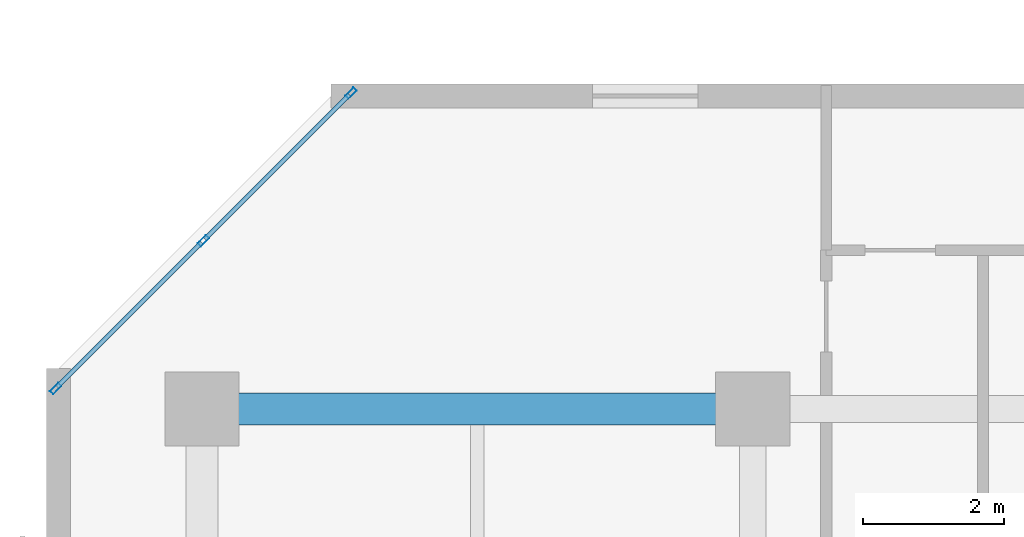
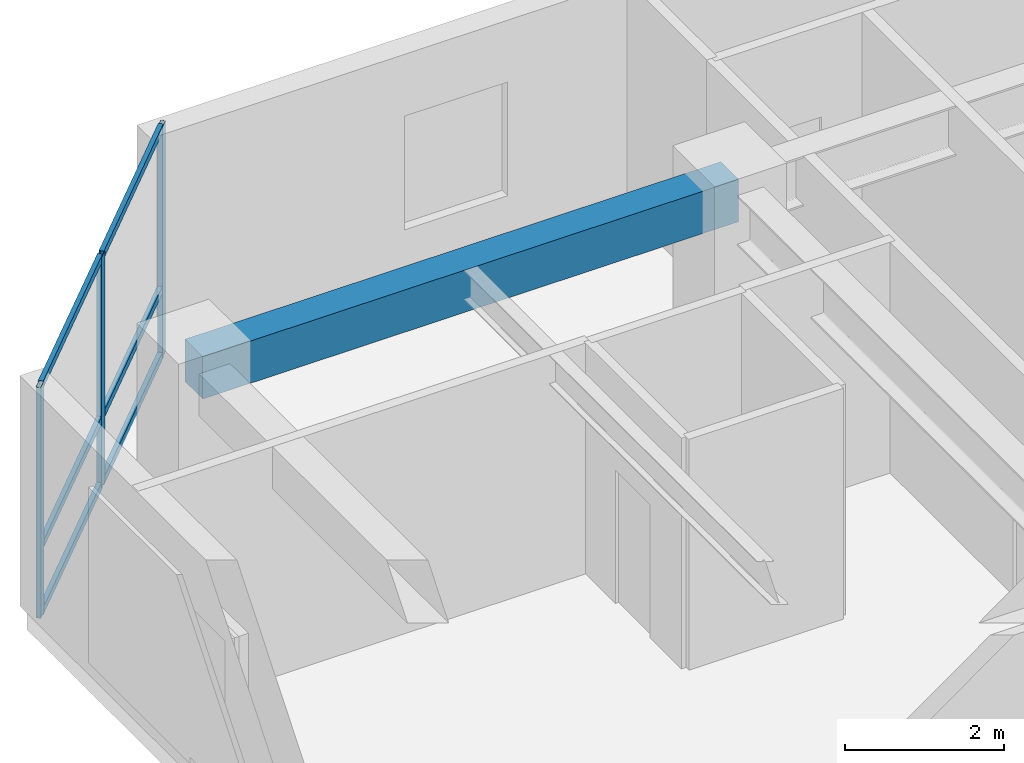
# One storey, part 3 of 11: 9 members, 1 beam, 1 element without a shape of its own.
"""IFC4 building model written with IfcOpenShell, lengths in metres."""

from ifc_helpers import new_model, si_unit, direction, frame, origin, origin_2d, place, context, subcontext, project, spatial, rectangle, hollow_rectangle, extrude, material, layer, layer_set, material_profile, profile_set, type_object, element, aggregate, save


model = new_model("IFC4")

# Units and contexts
model_context = context("Model", 3, precision=1e-05, world=origin(), true_north=direction((0.0, 1.0)))
body_context = subcontext(model_context, "Body", "Model", "MODEL_VIEW")
ifc_project = project(units=[si_unit("LENGTHUNIT", "METRE"), si_unit("AREAUNIT", "SQUARE_METRE"), si_unit("VOLUMEUNIT", "CUBIC_METRE"), si_unit("PLANEANGLEUNIT", "RADIAN"), si_unit("MASSUNIT", "GRAM", prefix="KILO")], contexts=[model_context])

# Site, building, storey
site_placement = place(None, origin())
site = spatial("IfcSite", under=ifc_project, at=site_placement, CompositionType="ELEMENT")
building_placement = place(site_placement, origin())
building = spatial("IfcBuilding", under=site, at=building_placement, Name="Kestravale Grand Hotel", CompositionType="ELEMENT")
storey_placement = place(building_placement, frame((0.0, 0.0, 157.39990234375)))
storey = spatial("IfcBuildingStorey", under=building, at=storey_placement, Name="L39", CompositionType="ELEMENT", Elevation=157.39990234375)

# Beam
ifc_material_1 = material(Name="Concrete f'c 45 MPa", Category="concrete")
ifc_material_profile_1 = material_profile(ifc_material_1, rectangle(XDim=0.449951171875, YDim=0.64990234375, at=origin_2d()))
ifc_profile_set_1 = profile_set([ifc_material_profile_1], Name="Concrete f'c 45 MPa")
beam_type = type_object("IfcBeamType", Name="B-FLR-RC650", PredefinedType="SPANDREL", material=ifc_profile_set_1)
beam_placement = place(storey_placement, frame((7.800048828125, 38.39990234375, 3.22509765625), z_axis=(1.0, 0.0, 0.0), x_axis=(0.0, 1.0, 0.0)))
element("IfcBeam", 1, at=beam_placement, inside=storey, type_object=beam_type, Name="L39 spandrel F:2-3", PredefinedType="SPANDREL", context=body_context, shape_type="SweptSolid", body=[
    extrude(rectangle(XDim=0.449951171875, YDim=0.64990234375, at=origin_2d()), origin(), (0.0, 0.0, 1.0), 7.800048828125),
])

# Curtain wall, members
ifc_material_2 = material(Name="Thermally broken champagne-bronze aluminium and low-E glazing", Category="aluminium")
ifc_layer = layer(ifc_material_2, 0.179931640625)
ifc_layer_set = layer_set([ifc_layer], Name="CW-Z3")
curtain_wall_type = type_object("IfcCurtainWallType", Name="CW-Z3", PredefinedType="NOTDEFINED", material=ifc_layer_set)
curtain_wall_placement = place(storey_placement, origin())
curtain_wall = element("IfcCurtainWall", 2, at=curtain_wall_placement, inside=storey, type_object=curtain_wall_type, Name="L39 unitised curtain wall 18", PredefinedType="NOTDEFINED")
ifc_material_3 = material(Name="Aluminium 6063-T6 anodised", Category="aluminium")
ifc_material_profile_2 = material_profile(ifc_material_3, hollow_rectangle(XDim=0.06494140625, YDim=0.1650390625, WallThickness=0.00341796875, at=origin_2d()))
ifc_profile_set_2 = profile_set([ifc_material_profile_2], Name="Aluminium 6063-T6 anodised")
member_type_1 = type_object("IfcMemberType", Name="CW-MUL-165", PredefinedType="MULLION", material=ifc_profile_set_2)
member_1_placement = place(storey_placement, frame((9.911376953125, 42.87109375, 0.0), z_axis=(0.0, 0.0, 1.0), x_axis=(0.707106781187, -0.707106781187, 0.0)))
member_1 = element("IfcMember", 3, at=member_1_placement, type_object=member_type_1, Name="CW-Z3 mullion 1", PredefinedType="MULLION", context=body_context, shape_type="SweptSolid", body=[
    extrude(hollow_rectangle(XDim=0.06494140625, YDim=0.1650390625, WallThickness=0.00341796875, at=origin_2d()), origin(), (0.0, 0.0, 1.0), 3.550048828125),
])
member_2_placement = place(storey_placement, frame((7.8203125, 40.77978515625, 0.0), z_axis=(0.0, 0.0, 1.0), x_axis=(0.707106781187, -0.707106781187, 0.0)))
member_2 = element("IfcMember", 4, at=member_2_placement, type_object=member_type_1, Name="CW-Z3 mullion 2", PredefinedType="MULLION", context=body_context, shape_type="SweptSolid", body=[
    extrude(hollow_rectangle(XDim=0.06494140625, YDim=0.1650390625, WallThickness=0.00341796875, at=origin_2d()), origin(), (0.0, 0.0, 1.0), 3.550048828125),
])
member_3_placement = place(storey_placement, frame((5.72900390625, 38.6884765625, 0.0), z_axis=(0.0, 0.0, 1.0), x_axis=(0.707106781187, -0.707106781187, 0.0)))
member_3 = element("IfcMember", 5, at=member_3_placement, type_object=member_type_1, Name="CW-Z3 mullion 3", PredefinedType="MULLION", context=body_context, shape_type="SweptSolid", body=[
    extrude(hollow_rectangle(XDim=0.06494140625, YDim=0.1650390625, WallThickness=0.00341796875, at=origin_2d()), origin(), (0.0, 0.0, 1.0), 3.550048828125),
])
ifc_material_4 = material(Name="Aluminium 6063-T6 anodised", Category="aluminium")
ifc_material_profile_3 = material_profile(ifc_material_4, hollow_rectangle(XDim=0.06494140625, YDim=0.114990234375, WallThickness=0.003173828125, at=origin_2d()))
ifc_profile_set_3 = profile_set([ifc_material_profile_3], Name="Aluminium 6063-T6 anodised")
member_type_2 = type_object("IfcMemberType", Name="CW-TRN-115", PredefinedType="USERDEFINED", material=ifc_profile_set_3)
member_4_placement = place(storey_placement, frame((9.888427734375, 42.84814453125, 0.03271484375), z_axis=(-0.707064577195, -0.707148982659, 0.0), x_axis=(0.707148982659, -0.707064577195, 0.0)))
member_4 = element("IfcMember", 6, at=member_4_placement, type_object=member_type_2, Name="CW-Z3 transom 1.1", ObjectType="TRANSOM", PredefinedType="USERDEFINED", context=body_context, shape_type="SweptSolid", body=[
    extrude(hollow_rectangle(XDim=0.06494140625, YDim=0.114990234375, WallThickness=0.003173828125, at=origin_2d()), origin(), (0.0, 0.0, 1.0), 2.892578125),
])
member_5_placement = place(storey_placement, frame((9.888427734375, 42.84814453125, 1.050048828125), z_axis=(-0.707064577195, -0.707148982659, 0.0), x_axis=(0.707148982659, -0.707064577195, 0.0)))
member_5 = element("IfcMember", 7, at=member_5_placement, type_object=member_type_2, Name="CW-Z3 transom 1.2", ObjectType="TRANSOM", PredefinedType="USERDEFINED", context=body_context, shape_type="SweptSolid", body=[
    extrude(hollow_rectangle(XDim=0.06494140625, YDim=0.114990234375, WallThickness=0.003173828125, at=origin_2d()), origin(), (0.0, 0.0, 1.0), 2.892578125),
])
member_6_placement = place(storey_placement, frame((9.888427734375, 42.84814453125, 3.517578125), z_axis=(-0.707064577195, -0.707148982659, 0.0), x_axis=(0.707148982659, -0.707064577195, 0.0)))
member_6 = element("IfcMember", 8, at=member_6_placement, type_object=member_type_2, Name="CW-Z3 transom 1.3", ObjectType="TRANSOM", PredefinedType="USERDEFINED", context=body_context, shape_type="SweptSolid", body=[
    extrude(hollow_rectangle(XDim=0.06494140625, YDim=0.114990234375, WallThickness=0.003173828125, at=origin_2d()), origin(), (0.0, 0.0, 1.0), 2.892578125),
])
member_7_placement = place(storey_placement, frame((7.797119140625, 40.7568359375, 0.03271484375), z_axis=(-0.707106781187, -0.707106781187, 0.0), x_axis=(0.707106781187, -0.707106781187, 0.0)))
member_7 = element("IfcMember", 9, at=member_7_placement, type_object=member_type_2, Name="CW-Z3 transom 2.1", ObjectType="TRANSOM", PredefinedType="USERDEFINED", context=body_context, shape_type="SweptSolid", body=[
    extrude(hollow_rectangle(XDim=0.06494140625, YDim=0.114990234375, WallThickness=0.003173828125, at=origin_2d()), origin(), (0.0, 0.0, 1.0), 2.892333984375),
])
member_8_placement = place(storey_placement, frame((7.797119140625, 40.7568359375, 1.050048828125), z_axis=(-0.707106781187, -0.707106781187, 0.0), x_axis=(0.707106781187, -0.707106781187, 0.0)))
member_8 = element("IfcMember", 10, at=member_8_placement, type_object=member_type_2, Name="CW-Z3 transom 2.2", ObjectType="TRANSOM", PredefinedType="USERDEFINED", context=body_context, shape_type="SweptSolid", body=[
    extrude(hollow_rectangle(XDim=0.06494140625, YDim=0.114990234375, WallThickness=0.003173828125, at=origin_2d()), origin(), (0.0, 0.0, 1.0), 2.892333984375),
])
member_9_placement = place(storey_placement, frame((7.797119140625, 40.7568359375, 3.517578125), z_axis=(-0.707106781187, -0.707106781187, 0.0), x_axis=(0.707106781187, -0.707106781187, 0.0)))
member_9 = element("IfcMember", 11, at=member_9_placement, type_object=member_type_2, Name="CW-Z3 transom 2.3", ObjectType="TRANSOM", PredefinedType="USERDEFINED", context=body_context, shape_type="SweptSolid", body=[
    extrude(hollow_rectangle(XDim=0.06494140625, YDim=0.114990234375, WallThickness=0.003173828125, at=origin_2d()), origin(), (0.0, 0.0, 1.0), 2.892333984375),
])
aggregate(curtain_wall, [member_1, member_2, member_3, member_4, member_5, member_6, member_7, member_8, member_9])

save(model, "model.ifc")
